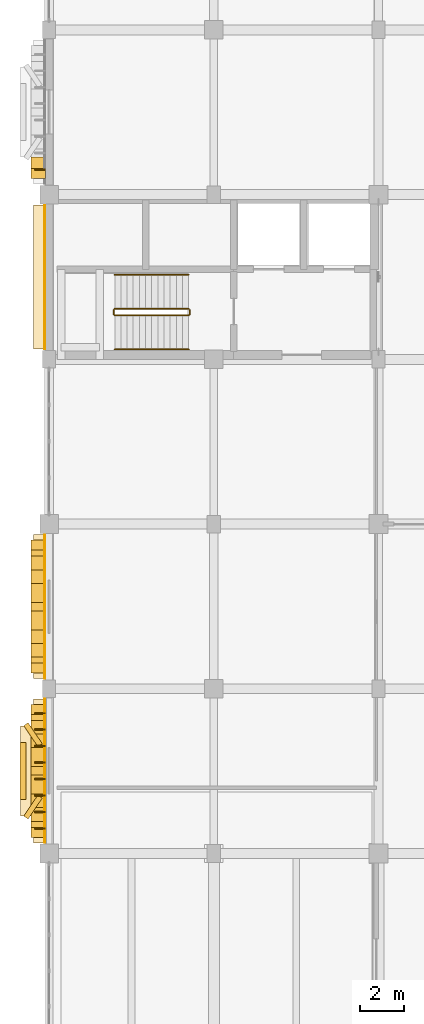
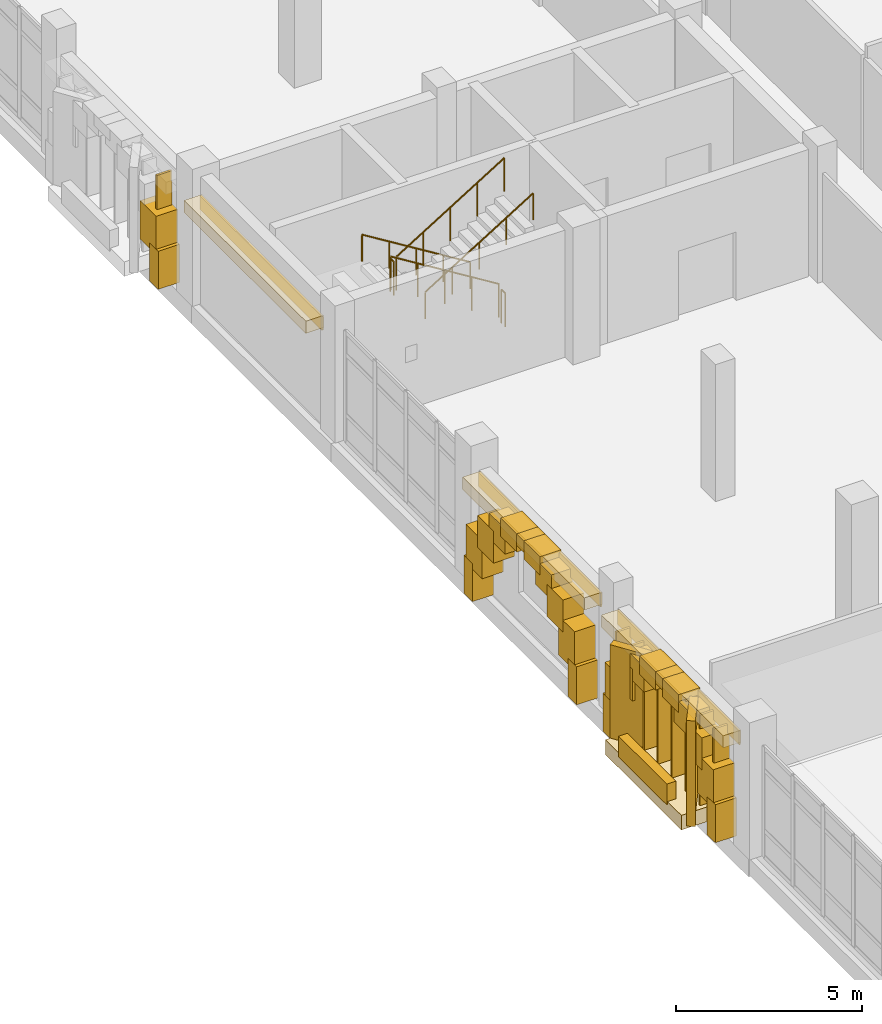
# One storey, part 110 of 128: 34 coverings, 9 shading devices, 6 railings.
"""IFC4 building model written with IfcOpenShell, lengths in metres."""

from ifc_helpers import new_model, si_unit, direction, frame, origin, origin_2d, place, context, subcontext, project, spatial, rectangle, circle, extrude, material, layer, layer_set, type_object, element, save


model = new_model("IFC4")

# Units and contexts
model_context = context("Model", 3, precision=1e-05, world=origin(), true_north=direction((0.0, 1.0)))
body_context = subcontext(model_context, "Body", "Model", "MODEL_VIEW")
ifc_project = project(units=[si_unit("LENGTHUNIT", "METRE"), si_unit("AREAUNIT", "SQUARE_METRE"), si_unit("VOLUMEUNIT", "CUBIC_METRE"), si_unit("PLANEANGLEUNIT", "RADIAN"), si_unit("MASSUNIT", "GRAM", prefix="KILO")], contexts=[model_context])

# Site, building, storey
site_placement = place(None, origin())
site = spatial("IfcSite", under=ifc_project, at=site_placement, CompositionType="ELEMENT")
building_placement = place(site_placement, origin())
building = spatial("IfcBuilding", under=site, at=building_placement, Name="Dalvernix Boulevard General Hospital", CompositionType="ELEMENT")
storey_placement = place(building_placement, frame((0.0, 0.0, 4.800048828125)))
storey = spatial("IfcBuildingStorey", under=building, at=storey_placement, Name="L01", CompositionType="ELEMENT", Elevation=4.800048828125)

# Coverings
ifc_material_1 = material(Name="Pressed Catalan clay brick and dressed limestone parabolic archivolt", Category="masonry")
ifc_layer_1 = layer(ifc_material_1, 0.419921875)
ifc_layer_set_1 = layer_set([ifc_layer_1], Name="Pressed Catalan clay brick and dressed limestone parabolic archivolt (COV-ARC-01)")
covering_type_1 = type_object("IfcCoveringType", Name="COV-ARC-01", PredefinedType="CLADDING", material=ifc_layer_set_1)
for number, where, z_axis, x_axis, name in (
    (1, (-0.485107421875, 32.46240234375, 0.0), (0.0, 0.0, 1.0), (0.0, 1.0, 0.0), "L01 Catalan parabolic arch impost pier W 0-4-L"),
    (2, (-0.485107421875, 38.0625, 0.0), (0.0, 0.0, 1.0), (0.0, 1.0, 0.0), "L01 Catalan parabolic arch impost pier W 0-4-R"),
):
    element("IfcCovering", number, at=place(storey_placement, frame(where, z_axis=z_axis, x_axis=x_axis)), inside=storey, type_object=covering_type_1, Name=name, PredefinedType="CLADDING", context=body_context, shape_type="SweptSolid", body=[
        extrude(rectangle(XDim=0.4599609375, YDim=0.659912109375, at=origin_2d()), origin(), (0.0, 0.0, 1.0), 1.25),
    ])
covering_1_placement = place(storey_placement, frame((-0.485107421875, 32.773681640625, 1.06005859375), z_axis=(0.0, 0.0, 1.0), x_axis=(0.0, 1.0, 0.0)))
element("IfcCovering", 3, at=covering_1_placement, inside=storey, type_object=covering_type_1, Name="L01 Catalan parabolic archivolt voussoir W 0-4-1", PredefinedType="CLADDING", context=body_context, shape_type="SweptSolid", body=[
    extrude(rectangle(XDim=0.8623046875, YDim=0.659912109375, at=origin_2d()), origin(), (0.0, 0.0, 1.0), 1.272705078125),
])
covering_2_placement = place(storey_placement, frame((-0.485107421875, 33.395751953125, 1.95263671875), z_axis=(0.0, 0.0, 1.0), x_axis=(0.0, 1.0, 0.0)))
element("IfcCovering", 4, at=covering_2_placement, inside=storey, type_object=covering_type_1, Name="L01 Catalan parabolic archivolt voussoir W 0-4-2", PredefinedType="CLADDING", context=body_context, shape_type="SweptSolid", body=[
    extrude(rectangle(XDim=0.8623046875, YDim=0.659912109375, at=origin_2d()), origin(), (0.0, 0.0, 1.0), 1.049560546875),
])
covering_3_placement = place(storey_placement, frame((-0.485107421875, 34.01806640625, 2.62255859375), z_axis=(0.0, 0.0, 1.0), x_axis=(0.0, 1.0, 0.0)))
element("IfcCovering", 5, at=covering_3_placement, inside=storey, type_object=covering_type_1, Name="L01 Catalan parabolic archivolt voussoir W 0-4-3", PredefinedType="CLADDING", context=body_context, shape_type="SweptSolid", body=[
    extrude(rectangle(XDim=0.8623046875, YDim=0.659912109375, at=origin_2d()), origin(), (0.0, 0.0, 1.0), 0.826416015625),
])
covering_4_placement = place(storey_placement, frame((-0.485107421875, 34.640380859375, 3.06884765625), z_axis=(0.0, 0.0, 1.0), x_axis=(0.0, 1.0, 0.0)))
element("IfcCovering", 6, at=covering_4_placement, inside=storey, type_object=covering_type_1, Name="L01 Catalan parabolic archivolt voussoir W 0-4-4", PredefinedType="CLADDING", context=body_context, shape_type="SweptSolid", body=[
    extrude(rectangle(XDim=0.8623046875, YDim=0.659912109375, at=origin_2d()), origin(), (0.0, 0.0, 1.0), 0.603271484375),
])
covering_5_placement = place(storey_placement, frame((-0.485107421875, 35.262451171875, 3.2919921875), z_axis=(0.0, 0.0, 1.0), x_axis=(0.0, 1.0, 0.0)))
element("IfcCovering", 7, at=covering_5_placement, inside=storey, type_object=covering_type_1, Name="L01 Catalan parabolic archivolt voussoir W 0-4-5", PredefinedType="CLADDING", context=body_context, shape_type="SweptSolid", body=[
    extrude(rectangle(XDim=0.8623046875, YDim=0.659912109375, at=origin_2d()), origin(), (0.0, 0.0, 1.0), 0.3798828125),
])
covering_6_placement = place(storey_placement, frame((-0.485107421875, 35.884765625, 3.06884765625), z_axis=(0.0, 0.0, 1.0), x_axis=(0.0, 1.0, 0.0)))
element("IfcCovering", 8, at=covering_6_placement, inside=storey, type_object=covering_type_1, Name="L01 Catalan parabolic archivolt voussoir W 0-4-6", PredefinedType="CLADDING", context=body_context, shape_type="SweptSolid", body=[
    extrude(rectangle(XDim=0.8623046875, YDim=0.659912109375, at=origin_2d()), origin(), (0.0, 0.0, 1.0), 0.603271484375),
])
covering_7_placement = place(storey_placement, frame((-0.485107421875, 36.5068359375, 2.62255859375), z_axis=(0.0, 0.0, 1.0), x_axis=(0.0, 1.0, 0.0)))
element("IfcCovering", 9, at=covering_7_placement, inside=storey, type_object=covering_type_1, Name="L01 Catalan parabolic archivolt voussoir W 0-4-7", PredefinedType="CLADDING", context=body_context, shape_type="SweptSolid", body=[
    extrude(rectangle(XDim=0.8623046875, YDim=0.659912109375, at=origin_2d()), origin(), (0.0, 0.0, 1.0), 0.826416015625),
])
covering_8_placement = place(storey_placement, frame((-0.485107421875, 37.129150390625, 1.95263671875), z_axis=(0.0, 0.0, 1.0), x_axis=(0.0, 1.0, 0.0)))
element("IfcCovering", 10, at=covering_8_placement, inside=storey, type_object=covering_type_1, Name="L01 Catalan parabolic archivolt voussoir W 0-4-8", PredefinedType="CLADDING", context=body_context, shape_type="SweptSolid", body=[
    extrude(rectangle(XDim=0.8623046875, YDim=0.659912109375, at=origin_2d()), origin(), (0.0, 0.0, 1.0), 1.049560546875),
])
covering_9_placement = place(storey_placement, frame((-0.485107421875, 37.75146484375, 1.06005859375), z_axis=(0.0, 0.0, 1.0), x_axis=(0.0, 1.0, 0.0)))
element("IfcCovering", 11, at=covering_9_placement, inside=storey, type_object=covering_type_1, Name="L01 Catalan parabolic archivolt voussoir W 0-4-9", PredefinedType="CLADDING", context=body_context, shape_type="SweptSolid", body=[
    extrude(rectangle(XDim=0.8623046875, YDim=0.659912109375, at=origin_2d()), origin(), (0.0, 0.0, 1.0), 1.272705078125),
])
for number, where, z_axis, x_axis, name in (
    (12, (-0.485107421875, 39.9375, 0.0), (0.0, 0.0, 1.0), (0.0, 1.0, 0.0), "L01 Catalan parabolic arch impost pier W 0-5-L"),
    (13, (-0.485107421875, 45.53759765625, 0.0), (0.0, 0.0, 1.0), (0.0, 1.0, 0.0), "L01 Catalan parabolic arch impost pier W 0-5-R"),
):
    element("IfcCovering", number, at=place(storey_placement, frame(where, z_axis=z_axis, x_axis=x_axis)), inside=storey, type_object=covering_type_1, Name=name, PredefinedType="CLADDING", context=body_context, shape_type="SweptSolid", body=[
        extrude(rectangle(XDim=0.4599609375, YDim=0.659912109375, at=origin_2d()), origin(), (0.0, 0.0, 1.0), 1.25),
    ])
covering_10_placement = place(storey_placement, frame((-0.485107421875, 40.24853515625, 1.06005859375), z_axis=(0.0, 0.0, 1.0), x_axis=(0.0, 1.0, 0.0)))
element("IfcCovering", 14, at=covering_10_placement, inside=storey, type_object=covering_type_1, Name="L01 Catalan parabolic archivolt voussoir W 0-5-1", PredefinedType="CLADDING", context=body_context, shape_type="SweptSolid", body=[
    extrude(rectangle(XDim=0.8623046875, YDim=0.659912109375, at=origin_2d()), origin(), (0.0, 0.0, 1.0), 1.272705078125),
])
covering_11_placement = place(storey_placement, frame((-0.485107421875, 40.870849609375, 1.95263671875), z_axis=(0.0, 0.0, 1.0), x_axis=(0.0, 1.0, 0.0)))
element("IfcCovering", 15, at=covering_11_placement, inside=storey, type_object=covering_type_1, Name="L01 Catalan parabolic archivolt voussoir W 0-5-2", PredefinedType="CLADDING", context=body_context, shape_type="SweptSolid", body=[
    extrude(rectangle(XDim=0.8623046875, YDim=0.659912109375, at=origin_2d()), origin(), (0.0, 0.0, 1.0), 1.049560546875),
])
covering_12_placement = place(storey_placement, frame((-0.485107421875, 41.4931640625, 2.62255859375), z_axis=(0.0, 0.0, 1.0), x_axis=(0.0, 1.0, 0.0)))
element("IfcCovering", 16, at=covering_12_placement, inside=storey, type_object=covering_type_1, Name="L01 Catalan parabolic archivolt voussoir W 0-5-3", PredefinedType="CLADDING", context=body_context, shape_type="SweptSolid", body=[
    extrude(rectangle(XDim=0.8623046875, YDim=0.659912109375, at=origin_2d()), origin(), (0.0, 0.0, 1.0), 0.826416015625),
])
covering_13_placement = place(storey_placement, frame((-0.485107421875, 42.115234375, 3.06884765625), z_axis=(0.0, 0.0, 1.0), x_axis=(0.0, 1.0, 0.0)))
element("IfcCovering", 17, at=covering_13_placement, inside=storey, type_object=covering_type_1, Name="L01 Catalan parabolic archivolt voussoir W 0-5-4", PredefinedType="CLADDING", context=body_context, shape_type="SweptSolid", body=[
    extrude(rectangle(XDim=0.8623046875, YDim=0.659912109375, at=origin_2d()), origin(), (0.0, 0.0, 1.0), 0.603271484375),
])
covering_14_placement = place(storey_placement, frame((-0.485107421875, 42.737548828125, 3.2919921875), z_axis=(0.0, 0.0, 1.0), x_axis=(0.0, 1.0, 0.0)))
element("IfcCovering", 18, at=covering_14_placement, inside=storey, type_object=covering_type_1, Name="L01 Catalan parabolic archivolt voussoir W 0-5-5", PredefinedType="CLADDING", context=body_context, shape_type="SweptSolid", body=[
    extrude(rectangle(XDim=0.8623046875, YDim=0.659912109375, at=origin_2d()), origin(), (0.0, 0.0, 1.0), 0.3798828125),
])
covering_15_placement = place(storey_placement, frame((-0.485107421875, 43.359619140625, 3.06884765625), z_axis=(0.0, 0.0, 1.0), x_axis=(0.0, 1.0, 0.0)))
element("IfcCovering", 19, at=covering_15_placement, inside=storey, type_object=covering_type_1, Name="L01 Catalan parabolic archivolt voussoir W 0-5-6", PredefinedType="CLADDING", context=body_context, shape_type="SweptSolid", body=[
    extrude(rectangle(XDim=0.8623046875, YDim=0.659912109375, at=origin_2d()), origin(), (0.0, 0.0, 1.0), 0.603271484375),
])
covering_16_placement = place(storey_placement, frame((-0.485107421875, 43.98193359375, 2.62255859375), z_axis=(0.0, 0.0, 1.0), x_axis=(0.0, 1.0, 0.0)))
element("IfcCovering", 20, at=covering_16_placement, inside=storey, type_object=covering_type_1, Name="L01 Catalan parabolic archivolt voussoir W 0-5-7", PredefinedType="CLADDING", context=body_context, shape_type="SweptSolid", body=[
    extrude(rectangle(XDim=0.8623046875, YDim=0.659912109375, at=origin_2d()), origin(), (0.0, 0.0, 1.0), 0.826416015625),
])
covering_17_placement = place(storey_placement, frame((-0.485107421875, 44.604248046875, 1.95263671875), z_axis=(0.0, 0.0, 1.0), x_axis=(0.0, 1.0, 0.0)))
element("IfcCovering", 21, at=covering_17_placement, inside=storey, type_object=covering_type_1, Name="L01 Catalan parabolic archivolt voussoir W 0-5-8", PredefinedType="CLADDING", context=body_context, shape_type="SweptSolid", body=[
    extrude(rectangle(XDim=0.8623046875, YDim=0.659912109375, at=origin_2d()), origin(), (0.0, 0.0, 1.0), 1.049560546875),
])
covering_18_placement = place(storey_placement, frame((-0.485107421875, 45.226318359375, 1.06005859375), z_axis=(0.0, 0.0, 1.0), x_axis=(0.0, 1.0, 0.0)))
element("IfcCovering", 22, at=covering_18_placement, inside=storey, type_object=covering_type_1, Name="L01 Catalan parabolic archivolt voussoir W 0-5-9", PredefinedType="CLADDING", context=body_context, shape_type="SweptSolid", body=[
    extrude(rectangle(XDim=0.8623046875, YDim=0.659912109375, at=origin_2d()), origin(), (0.0, 0.0, 1.0), 1.272705078125),
])
covering_19_placement = place(storey_placement, frame((-0.485107421875, 62.46240234375, 0.0), z_axis=(0.0, 0.0, 1.0), x_axis=(0.0, 1.0, 0.0)))
element("IfcCovering", 23, at=covering_19_placement, inside=storey, type_object=covering_type_1, Name="L01 Catalan parabolic arch impost pier W 0-8-L", PredefinedType="CLADDING", context=body_context, shape_type="SweptSolid", body=[
    extrude(rectangle(XDim=0.4599609375, YDim=0.659912109375, at=origin_2d()), origin(), (0.0, 0.0, 1.0), 1.25),
])
covering_20_placement = place(storey_placement, frame((-0.485107421875, 62.773681640625, 1.06005859375), z_axis=(0.0, 0.0, 1.0), x_axis=(0.0, 1.0, 0.0)))
element("IfcCovering", 24, at=covering_20_placement, inside=storey, type_object=covering_type_1, Name="L01 Catalan parabolic archivolt voussoir W 0-8-1", PredefinedType="CLADDING", context=body_context, shape_type="SweptSolid", body=[
    extrude(rectangle(XDim=0.8623046875, YDim=0.659912109375, at=origin_2d()), origin(), (0.0, 0.0, 1.0), 1.272705078125),
])
ifc_material_2 = material(Name="Polychrome glazed Catalan trencadis ceramic faceted bay spandrel")
ifc_layer_2 = layer(ifc_material_2, 0.280029296875)
ifc_layer_set_2 = layer_set([ifc_layer_2], Name="Polychrome glazed Catalan trencadis ceramic faceted bay spandrel (COV-BAY-01)")
covering_type_2 = type_object("IfcCoveringType", Name="COV-BAY-01", PredefinedType="CLADDING", material=ifc_layer_set_2)
covering_21_placement = place(storey_placement, frame((-1.18505859375, 35.262451171875, 0.3798828125), z_axis=(0.0, 0.0, 1.0), x_axis=(0.0, 1.0, 0.0)))
element("IfcCovering", 25, at=covering_21_placement, inside=storey, type_object=covering_type_2, Name="L01 projecting faceted trencadis bay spandrel W 0-4", PredefinedType="CLADDING", context=body_context, shape_type="SweptSolid", body=[
    extrude(rectangle(XDim=2.60009765625, YDim=0.280029296875, at=origin_2d()), origin(), (0.0, 0.0, 1.0), 0.679931640625),
])
for number, where, z_axis, x_axis, name in (
    (26, (-0.735107421875, 33.612548828125, 0.080078125), (0.0, 0.0, 1.0), (0.559192903471, 0.829037572555, 0.0), "L01 projecting faceted Catalan bay cheek W 0-4-L"),
    (27, (-0.735107421875, 36.91259765625, 0.080078125), (0.0, 0.0, 1.0), (-0.559192903471, 0.829037572555, 0.0), "L01 projecting faceted Catalan bay cheek W 0-4-R"),
):
    element("IfcCovering", number, at=place(storey_placement, frame(where, z_axis=z_axis, x_axis=x_axis)), inside=storey, type_object=covering_type_2, Name=name, PredefinedType="CLADDING", context=body_context, shape_type="SweptSolid", body=[
        extrude(rectangle(XDim=1.14990234375, YDim=0.239990234375, at=origin_2d()), origin(), (0.0, 0.0, 1.0), 3.469970703125),
    ])
ifc_material_3 = material(Name="Polychrome Catalan glazed ceramic spandrel tile panel")
ifc_layer_3 = layer(ifc_material_3, 0.044921875)
ifc_layer_set_3 = layer_set([ifc_layer_3], Name="Polychrome Catalan glazed ceramic spandrel tile panel (COV-CLD-01)")
covering_type_3 = type_object("IfcCoveringType", Name="COV-CLD-01", PredefinedType="CLADDING", material=ifc_layer_set_3)
for number, where, z_axis, x_axis, name in (
    (28, (-0.195068359375, 35.262451171875, 3.15478515625), (0.0, 0.0, 1.0), (0.0, 1.0, 0.0), "L01 polychrome ceramic spandrel W 0-4"),
    (29, (-0.195068359375, 42.737548828125, 3.15478515625), (0.0, 0.0, 1.0), (0.0, 1.0, 0.0), "L01 polychrome ceramic spandrel W 0-5"),
    (30, (-0.195068359375, 57.737548828125, 3.15478515625), (0.0, 0.0, 1.0), (0.0, 1.0, 0.0), "L01 polychrome ceramic spandrel W 0-7"),
):
    element("IfcCovering", number, at=place(storey_placement, frame(where, z_axis=z_axis, x_axis=x_axis)), inside=storey, type_object=covering_type_3, Name=name, PredefinedType="CLADDING", context=body_context, shape_type="SweptSolid", body=[
        extrude(rectangle(XDim=6.554931640625, YDim=0.044921875, at=origin_2d()), origin(), (0.0, 0.0, 1.0), 0.449951171875),
    ])
ifc_material_4 = material(Name="Dressed ochre limestone classical plinth, stringcourse and corbelled cornice", Category="masonry")
ifc_layer_4 = layer(ifc_material_4, 0.449951171875)
ifc_layer_set_4 = layer_set([ifc_layer_4], Name="Dressed ochre limestone classical plinth, stringcourse and corbelled cornice (COV-CRN-01)")
covering_type_4 = type_object("IfcCoveringType", Name="COV-CRN-01", PredefinedType="CLADDING", material=ifc_layer_set_4)
covering_22_placement = place(storey_placement, frame((-0.43505859375, 35.262451171875, 3.22998046875), z_axis=(0.0, 0.0, 1.0), x_axis=(0.0, 1.0, 0.0)))
element("IfcCovering", 31, at=covering_22_placement, inside=storey, type_object=covering_type_4, Name="L01 classical corbelled cornice frieze W 0-4", PredefinedType="CLADDING", context=body_context, shape_type="SweptSolid", body=[
    extrude(rectangle(XDim=6.554931640625, YDim=0.56005859375, at=origin_2d()), origin(), (0.0, 0.0, 1.0), 0.39990234375),
])
covering_23_placement = place(storey_placement, frame((-0.72998046875, 35.262451171875, 0.0), z_axis=(0.0, 0.0, 1.0), x_axis=(0.0, 1.0, 0.0)))
element("IfcCovering", 32, at=covering_23_placement, inside=storey, type_object=covering_type_4, Name="L01 projecting Catalan bay corbel base W 0-4", PredefinedType="CLADDING", context=body_context, shape_type="SweptSolid", body=[
    extrude(rectangle(XDim=4.10009765625, YDim=1.14990234375, at=origin_2d()), origin(), (0.0, 0.0, 1.0), 0.47998046875),
])
for number, where, z_axis, x_axis, name in (
    (33, (-0.43505859375, 42.737548828125, 3.22998046875), (0.0, 0.0, 1.0), (0.0, 1.0, 0.0), "L01 classical corbelled cornice frieze W 0-5"),
    (34, (-0.43505859375, 57.737548828125, 3.22998046875), (0.0, 0.0, 1.0), (0.0, 1.0, 0.0), "L01 classical corbelled cornice frieze W 0-7"),
):
    element("IfcCovering", number, at=place(storey_placement, frame(where, z_axis=z_axis, x_axis=x_axis)), inside=storey, type_object=covering_type_4, Name=name, PredefinedType="CLADDING", context=body_context, shape_type="SweptSolid", body=[
        extrude(rectangle(XDim=6.554931640625, YDim=0.56005859375, at=origin_2d()), origin(), (0.0, 0.0, 1.0), 0.39990234375),
    ])

# Railings
ifc_material_5 = material(Name="Brushed stainless steel balustrade", Category="steel")
railing_type_1 = type_object("IfcRailingType", Name="RL-GR-INT1", PredefinedType="BALUSTRADE", material=ifc_material_5)
railing_1_placement = place(storey_placement, frame((6.35009765625, 56.300048828125, 0.173095703125)))
element("IfcRailing", 35, at=railing_1_placement, inside=storey, type_object=railing_type_1, Name="L01 ST-02 stair guard 1", PredefinedType="BALUSTRADE", context=body_context, shape_type="SweptSolid", body=[
    extrude(circle(Radius=0.02392578125, at=origin_2d()), frame((0.0, 0.0, 1.09619140625), z_axis=(-0.850623216509, 0.0, 0.525775754039), x_axis=(0.0, -1.0, 0.0)), (0.0, 0.0, 1.0), 3.9501953125),
    extrude(circle(Radius=0.02099609375, at=origin_2d()), origin(), (0.0, 0.0, 1.0), 1.072021484375),
    extrude(circle(Radius=0.02099609375, at=origin_2d()), frame((-0.840087890625, 0.0, 0.519287109375)), (0.0, 0.0, 1.0), 1.072021484375),
    extrude(circle(Radius=0.02099609375, at=origin_2d()), frame((-1.68017578125, 0.0, 1.03857421875)), (0.0, 0.0, 1.0), 1.072021484375),
    extrude(circle(Radius=0.02099609375, at=origin_2d()), frame((-2.52001953125, 0.0, 1.5576171875)), (0.0, 0.0, 1.0), 1.072021484375),
    extrude(circle(Radius=0.02099609375, at=origin_2d()), frame((-3.360107421875, 0.0, 2.076904296875)), (0.0, 0.0, 1.0), 1.072021484375),
])
railing_2_placement = place(storey_placement, frame((2.93994140625, 56.25, 2.25)))
element("IfcRailing", 36, at=railing_2_placement, inside=storey, type_object=railing_type_1, Name="L01 ST-02 stair guard 2", PredefinedType="BALUSTRADE", context=body_context, shape_type="SweptSolid", body=[
    extrude(circle(Radius=0.02392578125, at=origin_2d()), frame((0.0, 0.0, 1.09619140625), z_axis=(0.0, -1.0, 0.0), x_axis=(1.0, 0.0, 0.0)), (0.0, 0.0, 1.0), 0.199951171875),
    extrude(circle(Radius=0.02099609375, at=origin_2d()), origin(), (0.0, 0.0, 1.0), 1.072021484375),
    extrude(circle(Radius=0.02099609375, at=origin_2d()), frame((0.0, -0.199951171875, 0.0)), (0.0, 0.0, 1.0), 1.072021484375),
])
railing_3_placement = place(storey_placement, frame((2.989990234375, 56.0, 2.423095703125)))
element("IfcRailing", 37, at=railing_3_placement, inside=storey, type_object=railing_type_1, Name="L01 ST-02 stair guard 3", PredefinedType="BALUSTRADE", context=body_context, shape_type="SweptSolid", body=[
    extrude(circle(Radius=0.02392578125, at=origin_2d()), frame((0.0, 0.0, 1.09619140625), z_axis=(0.850623216509, 0.0, 0.525775754039), x_axis=(0.0, 1.0, 0.0)), (0.0, 0.0, 1.0), 3.9501953125),
    extrude(circle(Radius=0.02099609375, at=origin_2d()), origin(), (0.0, 0.0, 1.0), 1.072021484375),
    extrude(circle(Radius=0.02099609375, at=origin_2d()), frame((0.840087890625, 0.0, 0.519287109375)), (0.0, 0.0, 1.0), 1.072021484375),
    extrude(circle(Radius=0.02099609375, at=origin_2d()), frame((1.68017578125, 0.0, 1.03857421875)), (0.0, 0.0, 1.0), 1.072021484375),
    extrude(circle(Radius=0.02099609375, at=origin_2d()), frame((2.52001953125, 0.0, 1.5576171875)), (0.0, 0.0, 1.0), 1.072021484375),
    extrude(circle(Radius=0.02099609375, at=origin_2d()), frame((3.360107421875, 0.0, 2.076904296875)), (0.0, 0.0, 1.0), 1.072021484375),
])
railing_4_placement = place(storey_placement, frame((6.39990234375, 56.25, 0.0)))
element("IfcRailing", 38, at=railing_4_placement, inside=storey, type_object=railing_type_1, Name="L01 ST-02 stair guard 4", PredefinedType="BALUSTRADE", context=body_context, shape_type="SweptSolid", body=[
    extrude(circle(Radius=0.02392578125, at=origin_2d()), frame((0.0, 0.0, 1.09619140625), z_axis=(0.0, -1.0, 0.0), x_axis=(1.0, 0.0, 0.0)), (0.0, 0.0, 1.0), 0.199951171875),
    extrude(circle(Radius=0.02099609375, at=origin_2d()), origin(), (0.0, 0.0, 1.0), 1.072021484375),
    extrude(circle(Radius=0.02099609375, at=origin_2d()), frame((0.0, -0.199951171875, 0.0)), (0.0, 0.0, 1.0), 1.072021484375),
])
ifc_material_6 = material(Name="Brushed stainless steel wall handrail", Category="steel")
railing_type_2 = type_object("IfcRailingType", Name="RL-HR-INT1", PredefinedType="HANDRAIL", material=ifc_material_6)
railing_5_placement = place(storey_placement, frame((6.35009765625, 57.85009765625, 0.173095703125)))
element("IfcRailing", 39, at=railing_5_placement, inside=storey, type_object=railing_type_2, Name="L01 ST-02 stair handrail 1", PredefinedType="HANDRAIL", context=body_context, shape_type="SweptSolid", body=[
    extrude(circle(Radius=0.02392578125, at=origin_2d()), frame((0.0, 0.0, 0.8759765625), z_axis=(-0.850623216509, 0.0, 0.525775754039), x_axis=(0.0, -1.0, 0.0)), (0.0, 0.0, 1.0), 3.9501953125),
    extrude(circle(Radius=0.02099609375, at=origin_2d()), origin(), (0.0, 0.0, 1.0), 0.851806640625),
    extrude(circle(Radius=0.02099609375, at=origin_2d()), frame((-0.840087890625, 0.0, 0.519287109375)), (0.0, 0.0, 1.0), 0.851806640625),
    extrude(circle(Radius=0.02099609375, at=origin_2d()), frame((-1.68017578125, 0.0, 1.03857421875)), (0.0, 0.0, 1.0), 0.851806640625),
    extrude(circle(Radius=0.02099609375, at=origin_2d()), frame((-2.52001953125, 0.0, 1.5576171875)), (0.0, 0.0, 1.0), 0.851806640625),
    extrude(circle(Radius=0.02099609375, at=origin_2d()), frame((-3.360107421875, 0.0, 2.076904296875)), (0.0, 0.0, 1.0), 0.851806640625),
])
railing_6_placement = place(storey_placement, frame((2.989990234375, 54.449951171875, 2.423095703125)))
element("IfcRailing", 40, at=railing_6_placement, inside=storey, type_object=railing_type_2, Name="L01 ST-02 stair handrail 2", PredefinedType="HANDRAIL", context=body_context, shape_type="SweptSolid", body=[
    extrude(circle(Radius=0.02392578125, at=origin_2d()), frame((0.0, 0.0, 0.8759765625), z_axis=(0.850623216509, 0.0, 0.525775754039), x_axis=(0.0, 1.0, 0.0)), (0.0, 0.0, 1.0), 3.9501953125),
    extrude(circle(Radius=0.02099609375, at=origin_2d()), origin(), (0.0, 0.0, 1.0), 0.851806640625),
    extrude(circle(Radius=0.02099609375, at=origin_2d()), frame((0.840087890625, 0.0, 0.519287109375)), (0.0, 0.0, 1.0), 0.851806640625),
    extrude(circle(Radius=0.02099609375, at=origin_2d()), frame((1.68017578125, 0.0, 1.03857421875)), (0.0, 0.0, 1.0), 0.851806640625),
    extrude(circle(Radius=0.02099609375, at=origin_2d()), frame((2.52001953125, 0.0, 1.5576171875)), (0.0, 0.0, 1.0), 0.851806640625),
    extrude(circle(Radius=0.02099609375, at=origin_2d()), frame((3.360107421875, 0.0, 2.076904296875)), (0.0, 0.0, 1.0), 0.851806640625),
])

# Shading devices
ifc_material_7 = material(Name="Preservative-treated West African iroko timber", Category="wood")
shading_device_type = type_object("IfcShadingDeviceType", Name="SHD-FIN-01", PredefinedType="USERDEFINED", material=ifc_material_7)
for number, where, z_axis, x_axis, name in (
    (41, (-0.405029296875, 32.637451171875, 0.1748046875), (0.0, 0.0, 1.0), (0.0, 1.0, 0.0), "L01 iroko brise-soleil fin 1"),
    (42, (-0.405029296875, 33.387451171875, 0.1748046875), (0.0, 0.0, 1.0), (0.0, 1.0, 0.0), "L01 iroko brise-soleil fin 2"),
    (43, (-0.405029296875, 34.137451171875, 0.1748046875), (0.0, 0.0, 1.0), (0.0, 1.0, 0.0), "L01 iroko brise-soleil fin 3"),
    (44, (-0.405029296875, 34.887451171875, 0.1748046875), (0.0, 0.0, 1.0), (0.0, 1.0, 0.0), "L01 iroko brise-soleil fin 4"),
    (45, (-0.405029296875, 35.637451171875, 0.1748046875), (0.0, 0.0, 1.0), (0.0, 1.0, 0.0), "L01 iroko brise-soleil fin 5"),
    (46, (-0.405029296875, 36.387451171875, 0.1748046875), (0.0, 0.0, 1.0), (0.0, 1.0, 0.0), "L01 iroko brise-soleil fin 6"),
    (47, (-0.405029296875, 37.137451171875, 0.1748046875), (0.0, 0.0, 1.0), (0.0, 1.0, 0.0), "L01 iroko brise-soleil fin 7"),
    (48, (-0.405029296875, 37.887451171875, 0.1748046875), (0.0, 0.0, 1.0), (0.0, 1.0, 0.0), "L01 iroko brise-soleil fin 8"),
    (49, (-0.405029296875, 62.637451171875, 0.1748046875), (0.0, 0.0, 1.0), (0.0, 1.0, 0.0), "L01 iroko brise-soleil fin 1"),
):
    element("IfcShadingDevice", number, at=place(storey_placement, frame(where, z_axis=z_axis, x_axis=x_axis)), inside=storey, type_object=shading_device_type, Name=name, ObjectType="FIN", PredefinedType="USERDEFINED", context=body_context, shape_type="SweptSolid", body=[
        extrude(rectangle(XDim=0.06494140625, YDim=0.47998046875, at=origin_2d()), origin(), (0.0, 0.0, 1.0), 3.280029296875),
    ])

save(model, "model.ifc")
